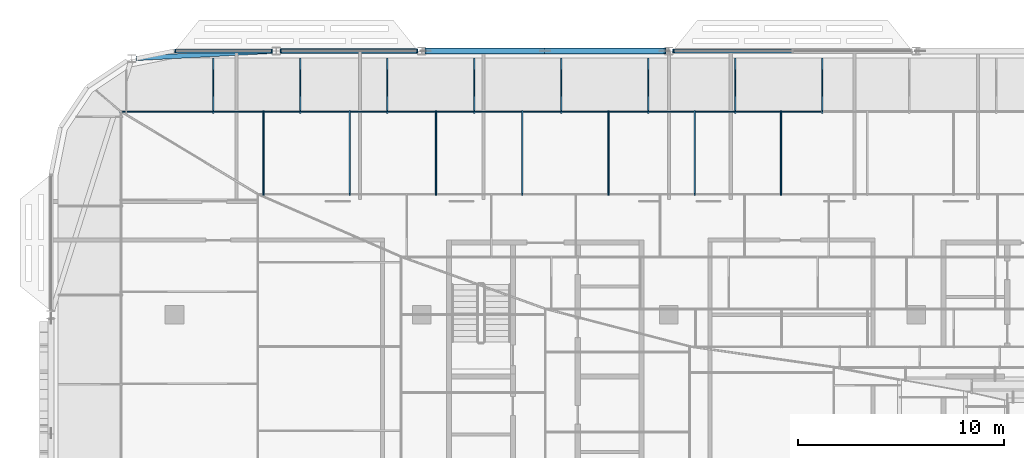
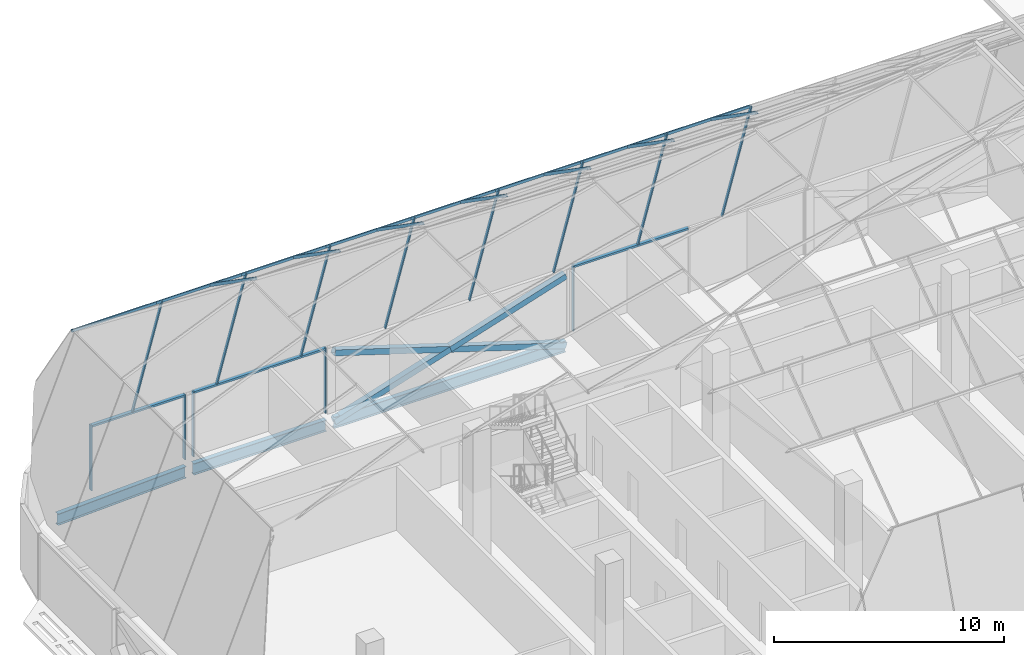
# One storey, part 13 of 39: 34 members, 3 beams, 5 elements without a shape of their own.
"""IFC4 building model written with IfcOpenShell, lengths in metres."""

from ifc_helpers import new_model, si_unit, direction, frame, origin, origin_2d, place, context, subcontext, project, spatial, rectangle, hollow_rectangle, i_section, extrude, material, material_profile, profile_set, type_object, element, aggregate, save


model = new_model("IFC4")

# Units and contexts
model_context = context("Model", 3, precision=1e-05, world=origin(), true_north=direction((0.0, 1.0)))
body_context = subcontext(model_context, "Body", "Model", "MODEL_VIEW")
ifc_project = project(units=[si_unit("LENGTHUNIT", "METRE"), si_unit("AREAUNIT", "SQUARE_METRE"), si_unit("VOLUMEUNIT", "CUBIC_METRE"), si_unit("PLANEANGLEUNIT", "RADIAN"), si_unit("MASSUNIT", "GRAM", prefix="KILO")], contexts=[model_context])

# Site, building, storey
site_placement = place(None, origin())
site = spatial("IfcSite", under=ifc_project, at=site_placement, CompositionType="ELEMENT")
building_placement = place(site_placement, origin())
building = spatial("IfcBuilding", under=site, at=building_placement, Name="Mahtab Terrace Research Tower", CompositionType="ELEMENT")
storey_placement = place(building_placement, frame((0.0, 0.0, 282.300048828125)))
storey = spatial("IfcBuildingStorey", under=building, at=storey_placement, Name="L69", CompositionType="ELEMENT", Elevation=282.300048828125)

# Curtain wall, members
ifc_material_1 = material(Name="Crown faceted glass roof")
curtain_wall_type_1 = type_object("IfcCurtainWallType", Name="Crown faceted glass roof", PredefinedType="NOTDEFINED", material=ifc_material_1)
curtain_wall_1_placement = place(storey_placement, origin())
curtain_wall_1 = element("IfcCurtainWall", 1, at=curtain_wall_1_placement, inside=storey, type_object=curtain_wall_type_1, Name="CROWN.N0", PredefinedType="NOTDEFINED")
ifc_material_2 = material(Name="Natural anodised aluminium", Category="aluminium")
ifc_material_profile_1 = material_profile(ifc_material_2, rectangle(XDim=0.06005859375, YDim=0.139892578125, at=origin_2d()), Name="MULLION 60x140")
ifc_profile_set_1 = profile_set([ifc_material_profile_1], Name="Natural anodised aluminium")
member_type_1 = type_object("IfcMemberType", Name="Crown faceted glass roof mullion", PredefinedType="MULLION", material=ifc_profile_set_1)
member_1_placement = place(storey_placement, frame((-40.12451171875, 23.890869140625, 3.777099609375), z_axis=(0.0, -0.325682087794, 0.945479337527), x_axis=(1.0, 0.0, 0.0)))
member_1 = element("IfcMember", 2, at=member_1_placement, type_object=member_type_1, Name="CWC-N1 mullion 2", PredefinedType="MULLION", context=body_context, shape_type="SweptSolid", body=[
    extrude(rectangle(XDim=0.06005859375, YDim=0.139892578125, at=origin_2d()), origin(), (0.0, 0.0, 1.0), 7.826904296875),
])
member_2_placement = place(storey_placement, frame((-35.90087890625, 23.890869140625, 3.777099609375), z_axis=(0.0, -0.325682087794, 0.945479337527), x_axis=(1.0, 0.0, 0.0)))
member_2 = element("IfcMember", 3, at=member_2_placement, type_object=member_type_1, Name="CWC-N1 mullion 3", PredefinedType="MULLION", context=body_context, shape_type="SweptSolid", body=[
    extrude(rectangle(XDim=0.06005859375, YDim=0.139892578125, at=origin_2d()), origin(), (0.0, 0.0, 1.0), 7.826904296875),
])
member_3_placement = place(storey_placement, frame((-31.67724609375, 23.890869140625, 3.777099609375), z_axis=(0.0, -0.325682087794, 0.945479337527), x_axis=(1.0, 0.0, 0.0)))
member_3 = element("IfcMember", 4, at=member_3_placement, type_object=member_type_1, Name="CWC-N1 mullion 4", PredefinedType="MULLION", context=body_context, shape_type="SweptSolid", body=[
    extrude(rectangle(XDim=0.06005859375, YDim=0.139892578125, at=origin_2d()), origin(), (0.0, 0.0, 1.0), 7.826904296875),
])
member_4_placement = place(storey_placement, frame((-27.45361328125, 23.890869140625, 3.777099609375), z_axis=(0.0, -0.325682087794, 0.945479337527), x_axis=(1.0, 0.0, 0.0)))
member_4 = element("IfcMember", 5, at=member_4_placement, type_object=member_type_1, Name="CWC-N1 mullion 5", PredefinedType="MULLION", context=body_context, shape_type="SweptSolid", body=[
    extrude(rectangle(XDim=0.06005859375, YDim=0.139892578125, at=origin_2d()), origin(), (0.0, 0.0, 1.0), 7.826904296875),
])
member_5_placement = place(storey_placement, frame((-23.22998046875, 23.890869140625, 3.777099609375), z_axis=(0.0, -0.325682087794, 0.945479337527), x_axis=(1.0, 0.0, 0.0)))
member_5 = element("IfcMember", 6, at=member_5_placement, type_object=member_type_1, Name="CWC-N1 mullion 6", PredefinedType="MULLION", context=body_context, shape_type="SweptSolid", body=[
    extrude(rectangle(XDim=0.06005859375, YDim=0.139892578125, at=origin_2d()), origin(), (0.0, 0.0, 1.0), 7.826904296875),
])
member_6_placement = place(storey_placement, frame((-19.00634765625, 23.890869140625, 3.777099609375), z_axis=(0.0, -0.325682087794, 0.945479337527), x_axis=(1.0, 0.0, 0.0)))
member_6 = element("IfcMember", 7, at=member_6_placement, type_object=member_type_1, Name="CWC-N1 mullion 7", PredefinedType="MULLION", context=body_context, shape_type="SweptSolid", body=[
    extrude(rectangle(XDim=0.06005859375, YDim=0.139892578125, at=origin_2d()), origin(), (0.0, 0.0, 1.0), 7.826904296875),
])
member_7_placement = place(storey_placement, frame((-14.78271484375, 23.890869140625, 3.777099609375), z_axis=(0.0, -0.325682087794, 0.945479337527), x_axis=(1.0, 0.0, 0.0)))
member_7 = element("IfcMember", 8, at=member_7_placement, type_object=member_type_1, Name="CWC-N1 mullion 8", PredefinedType="MULLION", context=body_context, shape_type="SweptSolid", body=[
    extrude(rectangle(XDim=0.06005859375, YDim=0.139892578125, at=origin_2d()), origin(), (0.0, 0.0, 1.0), 7.826904296875),
])
member_8_placement = place(storey_placement, frame((-10.55908203125, 23.890869140625, 3.777099609375), z_axis=(0.0, -0.325682087794, 0.945479337527), x_axis=(1.0, 0.0, 0.0)))
member_8 = element("IfcMember", 9, at=member_8_placement, type_object=member_type_1, Name="CWC-N1 mullion 9", PredefinedType="MULLION", context=body_context, shape_type="SweptSolid", body=[
    extrude(rectangle(XDim=0.06005859375, YDim=0.139892578125, at=origin_2d()), origin(), (0.0, 0.0, 1.0), 7.826904296875),
])
aggregate(curtain_wall_1, [member_1, member_2, member_3, member_4, member_5, member_6, member_7, member_8])

curtain_wall_2_placement = place(storey_placement, origin())
curtain_wall_2 = element("IfcCurtainWall", 10, at=curtain_wall_2_placement, inside=storey, type_object=curtain_wall_type_1, Name="CROWN.N1", PredefinedType="NOTDEFINED")
member_9_placement = place(storey_placement, frame((-37.677001953125, 21.367919921875, 11.142333984375), z_axis=(0.0, -0.820812816506, 0.571197269128), x_axis=(1.0, 0.0, 0.0)))
member_9 = element("IfcMember", 11, at=member_9_placement, type_object=member_type_1, Name="CWC-N2 mullion 1", PredefinedType="MULLION", context=body_context, shape_type="SweptSolid", body=[
    extrude(rectangle(XDim=0.06005859375, YDim=0.139892578125, at=origin_2d()), origin(), (0.0, 0.0, 1.0), 4.902099609375),
])
member_10_placement = place(storey_placement, frame((-33.49072265625, 21.367919921875, 11.142333984375), z_axis=(0.0, -0.820812816506, 0.571197269128), x_axis=(1.0, 0.0, 0.0)))
member_10 = element("IfcMember", 12, at=member_10_placement, type_object=member_type_1, Name="CWC-N2 mullion 2", PredefinedType="MULLION", context=body_context, shape_type="SweptSolid", body=[
    extrude(rectangle(XDim=0.06005859375, YDim=0.139892578125, at=origin_2d()), origin(), (0.0, 0.0, 1.0), 4.902099609375),
])
member_11_placement = place(storey_placement, frame((-29.304443359375, 21.367919921875, 11.142333984375), z_axis=(0.0, -0.820812816506, 0.571197269128), x_axis=(1.0, 0.0, 0.0)))
member_11 = element("IfcMember", 13, at=member_11_placement, type_object=member_type_1, Name="CWC-N2 mullion 3", PredefinedType="MULLION", context=body_context, shape_type="SweptSolid", body=[
    extrude(rectangle(XDim=0.06005859375, YDim=0.139892578125, at=origin_2d()), origin(), (0.0, 0.0, 1.0), 4.902099609375),
])
member_12_placement = place(storey_placement, frame((-25.117919921875, 21.367919921875, 11.142333984375), z_axis=(0.0, -0.820812816506, 0.571197269128), x_axis=(1.0, 0.0, 0.0)))
member_12 = element("IfcMember", 14, at=member_12_placement, type_object=member_type_1, Name="CWC-N2 mullion 4", PredefinedType="MULLION", context=body_context, shape_type="SweptSolid", body=[
    extrude(rectangle(XDim=0.06005859375, YDim=0.139892578125, at=origin_2d()), origin(), (0.0, 0.0, 1.0), 4.902099609375),
])
member_13_placement = place(storey_placement, frame((-20.931640625, 21.367919921875, 11.142333984375), z_axis=(0.0, -0.820812816506, 0.571197269128), x_axis=(1.0, 0.0, 0.0)))
member_13 = element("IfcMember", 15, at=member_13_placement, type_object=member_type_1, Name="CWC-N2 mullion 5", PredefinedType="MULLION", context=body_context, shape_type="SweptSolid", body=[
    extrude(rectangle(XDim=0.06005859375, YDim=0.139892578125, at=origin_2d()), origin(), (0.0, 0.0, 1.0), 4.902099609375),
])
member_14_placement = place(storey_placement, frame((-16.745361328125, 21.367919921875, 11.142333984375), z_axis=(0.0, -0.820812816506, 0.571197269128), x_axis=(1.0, 0.0, 0.0)))
member_14 = element("IfcMember", 16, at=member_14_placement, type_object=member_type_1, Name="CWC-N2 mullion 6", PredefinedType="MULLION", context=body_context, shape_type="SweptSolid", body=[
    extrude(rectangle(XDim=0.06005859375, YDim=0.139892578125, at=origin_2d()), origin(), (0.0, 0.0, 1.0), 4.902099609375),
])
member_15_placement = place(storey_placement, frame((-12.55908203125, 21.367919921875, 11.142333984375), z_axis=(0.0, -0.820812816506, 0.571197269128), x_axis=(1.0, 0.0, 0.0)))
member_15 = element("IfcMember", 17, at=member_15_placement, type_object=member_type_1, Name="CWC-N2 mullion 7", PredefinedType="MULLION", context=body_context, shape_type="SweptSolid", body=[
    extrude(rectangle(XDim=0.06005859375, YDim=0.139892578125, at=origin_2d()), origin(), (0.0, 0.0, 1.0), 4.902099609375),
])
ifc_material_profile_2 = material_profile(ifc_material_2, rectangle(XDim=0.06005859375, YDim=0.139892578125, at=origin_2d()), Name="TRANSOM 60x140")
ifc_profile_set_2 = profile_set([ifc_material_profile_2], Name="Natural anodised aluminium")
member_type_2 = type_object("IfcMemberType", Name="Crown faceted glass roof transom", PredefinedType="USERDEFINED", material=ifc_profile_set_2)
member_16_placement = place(storey_placement, frame((-44.64794921875, 21.352294921875, 11.15771484375), z_axis=(1.0, 0.0, 0.0), x_axis=(0.0, 1.0, 0.0)))
member_16 = element("IfcMember", 18, at=member_16_placement, type_object=member_type_2, Name="CWC-N2 transom 1", ObjectType="TRANSOM", PredefinedType="USERDEFINED", context=body_context, shape_type="SweptSolid", body=[
    extrude(rectangle(XDim=0.06005859375, YDim=0.139892578125, at=origin_2d()), origin(), (0.0, 0.0, 1.0), 4.251953125),
])
member_17_placement = place(storey_placement, frame((-40.39599609375, 21.352294921875, 11.15771484375), z_axis=(1.0, 0.0, 0.0), x_axis=(0.0, 1.0, 0.0)))
member_17 = element("IfcMember", 19, at=member_17_placement, type_object=member_type_2, Name="CWC-N2 transom 2", ObjectType="TRANSOM", PredefinedType="USERDEFINED", context=body_context, shape_type="SweptSolid", body=[
    extrude(rectangle(XDim=0.06005859375, YDim=0.139892578125, at=origin_2d()), origin(), (0.0, 0.0, 1.0), 4.252197265625),
])
member_18_placement = place(storey_placement, frame((-36.143798828125, 21.352294921875, 11.15771484375), z_axis=(1.0, 0.0, 0.0), x_axis=(0.0, 1.0, 0.0)))
member_18 = element("IfcMember", 20, at=member_18_placement, type_object=member_type_2, Name="CWC-N2 transom 3", ObjectType="TRANSOM", PredefinedType="USERDEFINED", context=body_context, shape_type="SweptSolid", body=[
    extrude(rectangle(XDim=0.06005859375, YDim=0.139892578125, at=origin_2d()), origin(), (0.0, 0.0, 1.0), 4.252197265625),
])
member_19_placement = place(storey_placement, frame((-31.8916015625, 21.352294921875, 11.15771484375), z_axis=(1.0, 0.0, 0.0), x_axis=(0.0, 1.0, 0.0)))
member_19 = element("IfcMember", 21, at=member_19_placement, type_object=member_type_2, Name="CWC-N2 transom 4", ObjectType="TRANSOM", PredefinedType="USERDEFINED", context=body_context, shape_type="SweptSolid", body=[
    extrude(rectangle(XDim=0.06005859375, YDim=0.139892578125, at=origin_2d()), origin(), (0.0, 0.0, 1.0), 4.252197265625),
])
member_20_placement = place(storey_placement, frame((-27.639404296875, 21.352294921875, 11.15771484375), z_axis=(1.0, 0.0, 0.0), x_axis=(0.0, 1.0, 0.0)))
member_20 = element("IfcMember", 22, at=member_20_placement, type_object=member_type_2, Name="CWC-N2 transom 5", ObjectType="TRANSOM", PredefinedType="USERDEFINED", context=body_context, shape_type="SweptSolid", body=[
    extrude(rectangle(XDim=0.06005859375, YDim=0.139892578125, at=origin_2d()), origin(), (0.0, 0.0, 1.0), 4.252197265625),
])
member_21_placement = place(storey_placement, frame((-23.38720703125, 21.352294921875, 11.15771484375), z_axis=(1.0, 0.0, 0.0), x_axis=(0.0, 1.0, 0.0)))
member_21 = element("IfcMember", 23, at=member_21_placement, type_object=member_type_2, Name="CWC-N2 transom 6", ObjectType="TRANSOM", PredefinedType="USERDEFINED", context=body_context, shape_type="SweptSolid", body=[
    extrude(rectangle(XDim=0.06005859375, YDim=0.139892578125, at=origin_2d()), origin(), (0.0, 0.0, 1.0), 4.252197265625),
])
member_22_placement = place(storey_placement, frame((-19.135009765625, 21.352294921875, 11.15771484375), z_axis=(1.0, 0.0, 0.0), x_axis=(0.0, 1.0, 0.0)))
member_22 = element("IfcMember", 24, at=member_22_placement, type_object=member_type_2, Name="CWC-N2 transom 7", ObjectType="TRANSOM", PredefinedType="USERDEFINED", context=body_context, shape_type="SweptSolid", body=[
    extrude(rectangle(XDim=0.06005859375, YDim=0.139892578125, at=origin_2d()), origin(), (0.0, 0.0, 1.0), 4.252197265625),
])
member_23_placement = place(storey_placement, frame((-14.8828125, 21.352294921875, 11.15771484375), z_axis=(1.0, 0.0, 0.0), x_axis=(0.0, 1.0, 0.0)))
member_23 = element("IfcMember", 25, at=member_23_placement, type_object=member_type_2, Name="CWC-N2 transom 8", ObjectType="TRANSOM", PredefinedType="USERDEFINED", context=body_context, shape_type="SweptSolid", body=[
    extrude(rectangle(XDim=0.06005859375, YDim=0.139892578125, at=origin_2d()), origin(), (0.0, 0.0, 1.0), 4.252197265625),
])
aggregate(curtain_wall_2, [member_9, member_10, member_11, member_12, member_13, member_14, member_15, member_16, member_17, member_18, member_19, member_20, member_21, member_22, member_23])

# Members
ifc_material_3 = material(Name="Steel ASTM A500 Gr C", Category="steel")
ifc_material_profile_3 = material_profile(ifc_material_3, hollow_rectangle(XDim=0.3046875, YDim=0.3046875, WallThickness=0.015869140625, at=origin_2d()), Name="HSS12X12X5/8")
ifc_profile_set_3 = profile_set([ifc_material_profile_3], Name="Steel ASTM A500 Gr C")
member_type_3 = type_object("IfcMemberType", Name="HSS 12x12x5/8 brace XB121258", PredefinedType="BRACE", material=ifc_profile_set_3)
member_24_placement = place(storey_placement, frame((-18.19677734375, 24.306884765625, -0.581298828125), z_axis=(-0.953344149173, 0.0, 0.301885629399), x_axis=(0.0, -1.0, 0.0)))
element("IfcMember", 26, at=member_24_placement, inside=storey, type_object=member_type_3, Name="Exoskeleton brace L69 07 a", PredefinedType="BRACE", context=body_context, shape_type="SweptSolid", body=[
    extrude(hollow_rectangle(XDim=0.3046875, YDim=0.3046875, WallThickness=0.015869140625, at=origin_2d()), origin(), (0.0, 0.0, 1.0), 12.174560546875),
])
for number, where, z_axis, x_axis, name in (
    (27, (-29.80322265625, 24.306884765625, -0.581298828125), (0.953344149173, 0.0, 0.301885629399), (0.0, 1.0, 0.0), "Exoskeleton brace L69 07 b1"),
    (28, (-24.0, 24.306884765625, 1.25634765625), (0.953344149173, 0.0, 0.301885629399), (0.0, 1.0, 0.0), "Exoskeleton brace L69 07 b2"),
):
    element("IfcMember", number, at=place(storey_placement, frame(where, z_axis=z_axis, x_axis=x_axis)), inside=storey, type_object=member_type_3, Name=name, PredefinedType="BRACE", context=body_context, shape_type="SweptSolid", body=[
        extrude(hollow_rectangle(XDim=0.3046875, YDim=0.3046875, WallThickness=0.015869140625, at=origin_2d()), origin(), (0.0, 0.0, 1.0), 6.087158203125),
    ])

# Curtain wall, member
ifc_material_4 = material(Name="Office ribbon curtain wall")
curtain_wall_type_2 = type_object("IfcCurtainWallType", Name="Office ribbon curtain wall", PredefinedType="NOTDEFINED", material=ifc_material_4)
curtain_wall_3_placement = place(storey_placement, origin())
curtain_wall_3 = element("IfcCurtainWall", 29, at=curtain_wall_3_placement, inside=storey, type_object=curtain_wall_type_2, Name="EN.L69.3.7", PredefinedType="NOTDEFINED")
ifc_material_profile_4 = material_profile(ifc_material_2, rectangle(XDim=0.179931640625, YDim=0.06005859375, at=origin_2d()), Name="MULLION 60x180")
ifc_profile_set_4 = profile_set([ifc_material_profile_4], Name="Natural anodised aluminium")
member_type_4 = type_object("IfcMemberType", Name="Office ribbon curtain wall mullion", PredefinedType="MULLION", material=ifc_profile_set_4)
member_25_placement = place(storey_placement, frame((-17.781982421875, 24.306884765625, 0.0), z_axis=(0.0, 0.0, 1.0), x_axis=(0.0, -1.0, 0.0)))
member_25 = element("IfcMember", 30, at=member_25_placement, type_object=member_type_4, Name="CWO-8 mullion 3", PredefinedType="MULLION", context=body_context, shape_type="SweptSolid", body=[
    extrude(rectangle(XDim=0.179931640625, YDim=0.06005859375, at=origin_2d()), origin(), (0.0, 0.0, 1.0), 3.4599609375),
])

# Curtain wall, members
curtain_wall_4_placement = place(storey_placement, origin())
curtain_wall_4 = element("IfcCurtainWall", 31, at=curtain_wall_4_placement, inside=storey, type_object=curtain_wall_type_2, Name="EN.L69.3.9", PredefinedType="NOTDEFINED")
member_26_placement = place(storey_placement, frame((-30.218017578125, 24.306884765625, 0.0), z_axis=(0.0, 0.0, 1.0), x_axis=(0.0, -1.0, 0.0)))
member_26 = element("IfcMember", 32, at=member_26_placement, type_object=member_type_4, Name="CWO-8 mullion 1", PredefinedType="MULLION", context=body_context, shape_type="SweptSolid", body=[
    extrude(rectangle(XDim=0.179931640625, YDim=0.06005859375, at=origin_2d()), origin(), (0.0, 0.0, 1.0), 3.4599609375),
])
member_27_placement = place(storey_placement, frame((-36.840087890625, 24.306884765625, 0.0), z_axis=(0.0, 0.0, 1.0), x_axis=(0.0, -1.0, 0.0)))
member_27 = element("IfcMember", 33, at=member_27_placement, type_object=member_type_4, Name="CWO-8 mullion 2", PredefinedType="MULLION", context=body_context, shape_type="SweptSolid", body=[
    extrude(rectangle(XDim=0.179931640625, YDim=0.06005859375, at=origin_2d()), origin(), (0.0, 0.0, 1.0), 3.4599609375),
])

curtain_wall_5_placement = place(storey_placement, origin())
curtain_wall_5 = element("IfcCurtainWall", 34, at=curtain_wall_5_placement, inside=storey, type_object=curtain_wall_type_2, Name="EN.L69.3.10", PredefinedType="NOTDEFINED")
member_28_placement = place(storey_placement, frame((-37.27587890625, 24.306884765625, 0.0), z_axis=(0.0, 0.0, 1.0), x_axis=(0.0, -1.0, 0.0)))
member_28 = element("IfcMember", 35, at=member_28_placement, type_object=member_type_4, Name="CWO-8 mullion 1", PredefinedType="MULLION", context=body_context, shape_type="SweptSolid", body=[
    extrude(rectangle(XDim=0.179931640625, YDim=0.06005859375, at=origin_2d()), origin(), (0.0, 0.0, 1.0), 3.4599609375),
])
member_29_placement = place(storey_placement, frame((-41.969970703125, 24.306884765625, 0.0), z_axis=(0.0, 0.0, 1.0), x_axis=(0.0, -1.0, 0.0)))
member_29 = element("IfcMember", 36, at=member_29_placement, type_object=member_type_4, Name="CWO-8 mullion 2", PredefinedType="MULLION", context=body_context, shape_type="SweptSolid", body=[
    extrude(rectangle(XDim=0.179931640625, YDim=0.06005859375, at=origin_2d()), origin(), (0.0, 0.0, 1.0), 3.4599609375),
])

# Member
ifc_material_profile_5 = material_profile(ifc_material_2, rectangle(XDim=0.179931640625, YDim=0.10009765625, at=origin_2d()), Name="TRANSOM 100x180")
ifc_profile_set_5 = profile_set([ifc_material_profile_5], Name="Natural anodised aluminium")
member_type_5 = type_object("IfcMemberType", Name="Office ribbon curtain wall transom", PredefinedType="USERDEFINED", material=ifc_profile_set_5)
member_30_placement = place(storey_placement, frame((-12.030029296875, 24.306884765625, 3.409912109375), z_axis=(-1.0, 0.0, 0.0), x_axis=(0.0, -1.0, 0.0)))
member_30 = element("IfcMember", 37, at=member_30_placement, type_object=member_type_5, Name="CWO-8 transom 2", ObjectType="TRANSOM", PredefinedType="USERDEFINED", context=body_context, shape_type="SweptSolid", body=[
    extrude(rectangle(XDim=0.179931640625, YDim=0.10009765625, at=origin_2d()), origin(), (0.0, 0.0, 1.0), 5.721923828125),
])

aggregate(curtain_wall_3, [member_25, member_30])

member_31_placement = place(storey_placement, frame((-30.248046875, 24.306884765625, 3.409912109375), z_axis=(-1.0, 0.0, 0.0), x_axis=(0.0, -1.0, 0.0)))
member_31 = element("IfcMember", 38, at=member_31_placement, type_object=member_type_5, Name="CWO-8 transom 1", ObjectType="TRANSOM", PredefinedType="USERDEFINED", context=body_context, shape_type="SweptSolid", body=[
    extrude(rectangle(XDim=0.179931640625, YDim=0.10009765625, at=origin_2d()), origin(), (0.0, 0.0, 1.0), 6.56201171875),
])

aggregate(curtain_wall_4, [member_26, member_27, member_31])

member_32_placement = place(storey_placement, frame((-37.305908203125, 24.306884765625, 3.409912109375), z_axis=(-1.0, 0.0, 0.0), x_axis=(0.0, -1.0, 0.0)))
member_32 = element("IfcMember", 39, at=member_32_placement, type_object=member_type_5, Name="CWO-8 transom 1", ObjectType="TRANSOM", PredefinedType="USERDEFINED", context=body_context, shape_type="SweptSolid", body=[
    extrude(rectangle(XDim=0.179931640625, YDim=0.10009765625, at=origin_2d()), origin(), (0.0, 0.0, 1.0), 4.634033203125),
])

aggregate(curtain_wall_5, [member_28, member_29, member_32])

# Beams
ifc_material_5 = material(Name="Steel ASTM A992 Gr 50", Category="steel")
ifc_material_profile_6 = material_profile(ifc_material_5, i_section(OverallWidth=0.228271484375, OverallDepth=0.607177734375, WebThickness=0.01123046875, FlangeThickness=0.017333984375, at=origin_2d()), Name="W24X76")
ifc_profile_set_6 = profile_set([ifc_material_profile_6], Name="Steel ASTM A992 Gr 50")
beam_type = type_object("IfcBeamType", Name="W24x76 beam BS2476", PredefinedType="BEAM", material=ifc_profile_set_6)
beam_1_placement = place(storey_placement, frame((-18.19677734375, 24.306884765625, -0.6435546875), z_axis=(-1.0, 0.0, 0.0), x_axis=(0.0, -1.0, 0.0)))
element("IfcBeam", 40, at=beam_1_placement, inside=storey, type_object=beam_type, Name="Spandrel beam L69 07", PredefinedType="BEAM", context=body_context, shape_type="SweptSolid", body=[
    extrude(i_section(OverallWidth=0.228271484375, OverallDepth=0.607177734375, WebThickness=0.01123046875, FlangeThickness=0.017333984375, at=origin_2d()), origin(), (0.0, 0.0, 1.0), 11.6064453125),
])
beam_2_placement = place(storey_placement, frame((-30.19677734375, 24.306884765625, -0.6435546875), z_axis=(-1.0, 0.0, 0.0), x_axis=(0.0, -1.0, 0.0)))
element("IfcBeam", 41, at=beam_2_placement, inside=storey, type_object=beam_type, Name="Spandrel beam L69 08", PredefinedType="BEAM", context=body_context, shape_type="SweptSolid", body=[
    extrude(i_section(OverallWidth=0.228271484375, OverallDepth=0.607177734375, WebThickness=0.01123046875, FlangeThickness=0.017333984375, at=origin_2d()), origin(), (0.0, 0.0, 1.0), 6.664306640625),
])
beam_3_placement = place(storey_placement, frame((-37.2548828125, 24.296630859375, -0.6435546875), z_axis=(-0.998610495128, -0.052697998249, 0.0), x_axis=(0.052697998249, -0.998610495128, 0.0)))
element("IfcBeam", 42, at=beam_3_placement, inside=storey, type_object=beam_type, Name="Spandrel beam L69 09", PredefinedType="BEAM", context=body_context, shape_type="SweptSolid", body=[
    extrude(i_section(OverallWidth=0.228271484375, OverallDepth=0.607177734375, WebThickness=0.01123046875, FlangeThickness=0.017333984375, at=origin_2d()), origin(), (0.0, 0.0, 1.0), 6.629638671875),
])

save(model, "model.ifc")
